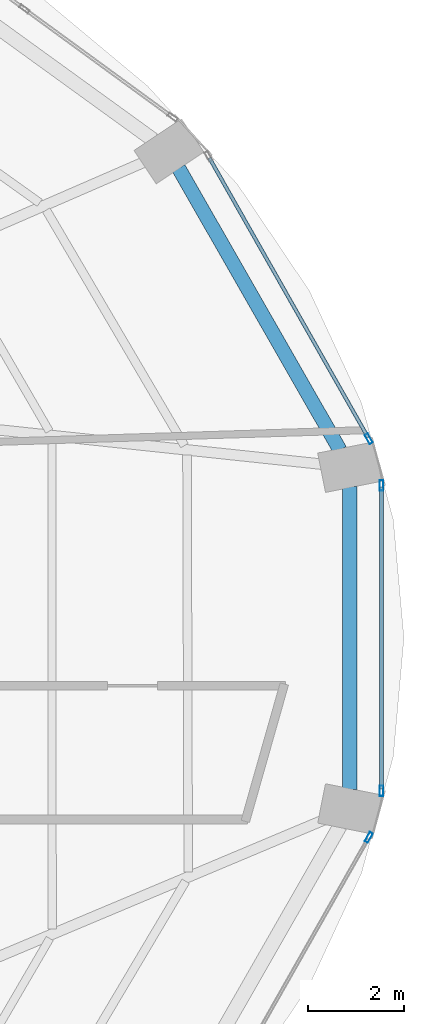
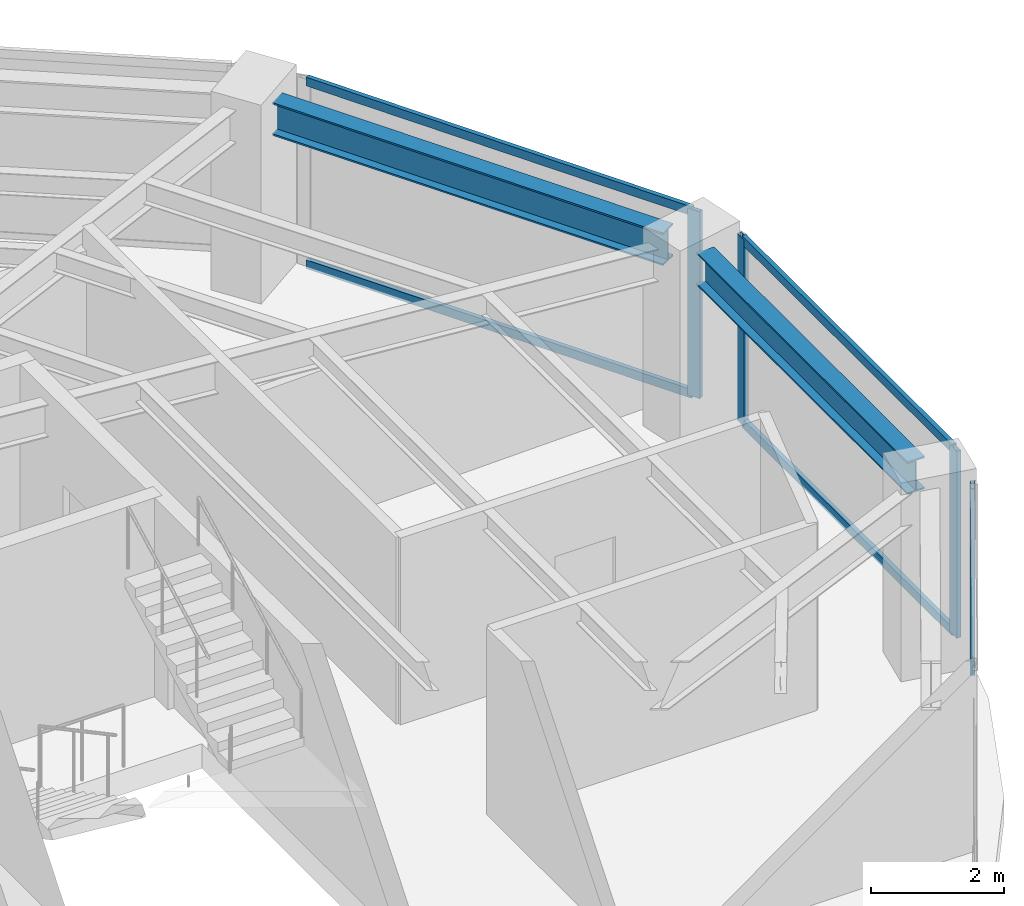
# One storey, part 13 of 23: 8 members, 2 beams, 3 elements without a shape of their own.
"""IFC4 building model written with IfcOpenShell, lengths in metres."""

from ifc_helpers import new_model, si_unit, direction, frame, origin, origin_2d, place, context, subcontext, project, spatial, hollow_rectangle, i_section, extrude, material, layer, layer_set, material_profile, profile_set, type_object, element, aggregate, save


model = new_model("IFC4")

# Units and contexts
model_context = context("Model", 3, precision=1e-05, world=origin(), true_north=direction((0.0, 1.0)))
body_context = subcontext(model_context, "Body", "Model", "MODEL_VIEW")
ifc_project = project(units=[si_unit("LENGTHUNIT", "METRE"), si_unit("AREAUNIT", "SQUARE_METRE"), si_unit("VOLUMEUNIT", "CUBIC_METRE"), si_unit("PLANEANGLEUNIT", "RADIAN"), si_unit("MASSUNIT", "GRAM", prefix="KILO")], contexts=[model_context])

# Site, building, storey
site_placement = place(None, origin())
site = spatial("IfcSite", under=ifc_project, at=site_placement, CompositionType="ELEMENT")
building_placement = place(site_placement, origin())
building = spatial("IfcBuilding", under=site, at=building_placement, Name="Lazwardi Medical Tower", CompositionType="ELEMENT")
storey_placement = place(building_placement, frame((0.0, 0.0, 81.743896484375)))
storey = spatial("IfcBuildingStorey", under=building, at=storey_placement, Name="L20", CompositionType="ELEMENT", Elevation=81.743896484375)

# Beams
ifc_material_1 = material(Name="Steel S355", Category="steel")
ifc_material_profile_1 = material_profile(ifc_material_1, i_section(OverallWidth=0.300048828125, OverallDepth=0.60009765625, WebThickness=0.015380859375, FlangeThickness=0.030029296875, at=origin_2d()), Name="HEB 600")
ifc_profile_set_1 = profile_set([ifc_material_profile_1], Name="Steel S355")
beam_type = type_object("IfcBeamType", Name="BM-RB-Z2", PredefinedType="BEAM", material=ifc_profile_set_1)
beam_1_placement = place(storey_placement, frame((60.86279296875, 27.22998046875, 3.128173828125), z_axis=(0.0, 1.0, 0.0), x_axis=(-1.0, 0.0, 0.0)))
element("IfcBeam", 1, at=beam_1_placement, inside=storey, type_object=beam_type, Name="Ring beam RB-03 B04 L20", PredefinedType="BEAM", context=body_context, shape_type="SweptSolid", body=[
    extrude(i_section(OverallWidth=0.300048828125, OverallDepth=0.60009765625, WebThickness=0.015380859375, FlangeThickness=0.030029296875, at=origin_2d()), origin(), (0.0, 0.0, 1.0), 6.33984375),
])
beam_2_placement = place(storey_placement, frame((60.6591796875, 34.335693359375, 3.128173828125), z_axis=(-0.496637551254, 0.867958030486, 0.0), x_axis=(-0.867958030486, -0.496637551254, 0.0)))
element("IfcBeam", 2, at=beam_2_placement, inside=storey, type_object=beam_type, Name="Ring beam RB-03 B05 L20", PredefinedType="BEAM", context=body_context, shape_type="SweptSolid", body=[
    extrude(i_section(OverallWidth=0.300048828125, OverallDepth=0.60009765625, WebThickness=0.015380859375, FlangeThickness=0.030029296875, at=origin_2d()), origin(), (0.0, 0.0, 1.0), 6.801025390625),
])

# Curtain wall, member
ifc_material_2 = material(Name="Anodised bronze aluminium and solar control glazing", Category="aluminium")
ifc_layer = layer(ifc_material_2, 0.195068359375)
ifc_layer_set = layer_set([ifc_layer], Name="Anodised bronze aluminium and solar control glazing")
curtain_wall_type = type_object("IfcCurtainWallType", Name="CW-SYS-03", PredefinedType="NOTDEFINED", material=ifc_layer_set)
curtain_wall_1_placement = place(storey_placement, origin())
curtain_wall_1 = element("IfcCurtainWall", 3, at=curtain_wall_1_placement, inside=storey, type_object=curtain_wall_type, Name="L20 Unitised bronze curtain wall CW-03", PredefinedType="NOTDEFINED")
ifc_material_3 = material(Name="Anodised bronze aluminium", Category="aluminium")
ifc_material_profile_2 = material_profile(ifc_material_3, hollow_rectangle(XDim=0.074951171875, YDim=0.219970703125, WallThickness=0.00390625, at=origin_2d()), Name="ALU-MULLION 220x75x4")
ifc_profile_set_2 = profile_set([ifc_material_profile_2], Name="Anodised bronze aluminium")
member_type_1 = type_object("IfcMemberType", Name="CW-MUL-01", PredefinedType="MULLION", material=ifc_profile_set_2)
member_1_placement = place(storey_placement, frame((61.2626953125, 26.22607421875, 0.0), z_axis=(0.0, 0.0, 1.0), x_axis=(-0.869687265712, 0.493603140041, 0.0)))
member_1 = element("IfcMember", 4, at=member_1_placement, type_object=member_type_1, Name="CW-03 mullion 2", PredefinedType="MULLION", context=body_context, shape_type="SweptSolid", body=[
    extrude(hollow_rectangle(XDim=0.074951171875, YDim=0.219970703125, WallThickness=0.00390625, at=origin_2d()), origin(), (0.0, 0.0, 1.0), 3.42822265625),
])
aggregate(curtain_wall_1, [member_1])

# Curtain wall, members
curtain_wall_2_placement = place(storey_placement, origin())
curtain_wall_2 = element("IfcCurtainWall", 5, at=curtain_wall_2_placement, inside=storey, type_object=curtain_wall_type, Name="L20 Unitised bronze curtain wall CW-03", PredefinedType="NOTDEFINED")
member_2_placement = place(storey_placement, frame((61.528076171875, 27.20263671875, 0.0), z_axis=(0.0, 0.0, 1.0), x_axis=(-1.0, 0.0, 0.0)))
member_2 = element("IfcMember", 6, at=member_2_placement, type_object=member_type_1, Name="CW-03 mullion 1", PredefinedType="MULLION", context=body_context, shape_type="SweptSolid", body=[
    extrude(hollow_rectangle(XDim=0.074951171875, YDim=0.219970703125, WallThickness=0.00390625, at=origin_2d()), origin(), (0.0, 0.0, 1.0), 3.42822265625),
])
member_3_placement = place(storey_placement, frame((61.528076171875, 33.597412109375, 0.0), z_axis=(0.0, 0.0, 1.0), x_axis=(-1.0, 0.0, 0.0)))
member_3 = element("IfcMember", 7, at=member_3_placement, type_object=member_type_1, Name="CW-03 mullion 2", PredefinedType="MULLION", context=body_context, shape_type="SweptSolid", body=[
    extrude(hollow_rectangle(XDim=0.074951171875, YDim=0.219970703125, WallThickness=0.00390625, at=origin_2d()), origin(), (0.0, 0.0, 1.0), 3.42822265625),
])

# Curtain wall, member
curtain_wall_3_placement = place(storey_placement, origin())
curtain_wall_3 = element("IfcCurtainWall", 8, at=curtain_wall_3_placement, inside=storey, type_object=curtain_wall_type, Name="L20 Unitised bronze curtain wall CW-03", PredefinedType="NOTDEFINED")
member_4_placement = place(storey_placement, frame((61.2626953125, 34.57373046875, 0.0), z_axis=(0.0, 0.0, 1.0), x_axis=(-0.869687265712, -0.493603140041, 0.0)))
member_4 = element("IfcMember", 9, at=member_4_placement, type_object=member_type_1, Name="CW-03 mullion 1", PredefinedType="MULLION", context=body_context, shape_type="SweptSolid", body=[
    extrude(hollow_rectangle(XDim=0.074951171875, YDim=0.219970703125, WallThickness=0.00390625, at=origin_2d()), origin(), (0.0, 0.0, 1.0), 3.42822265625),
])

# Member
ifc_material_profile_3 = material_profile(ifc_material_3, hollow_rectangle(XDim=0.074951171875, YDim=0.159912109375, WallThickness=0.00390625, at=origin_2d()), Name="ALU-TRANSOM 160x75x4")
ifc_profile_set_3 = profile_set([ifc_material_profile_3], Name="Anodised bronze aluminium")
member_type_2 = type_object("IfcMemberType", Name="CW-TRN-01", PredefinedType="USERDEFINED", material=ifc_profile_set_3)
member_5_placement = place(storey_placement, frame((61.528076171875, 27.239990234375, 0.03759765625), z_axis=(0.0, 1.0, 0.0), x_axis=(-1.0, 0.0, 0.0)))
member_5 = element("IfcMember", 10, at=member_5_placement, type_object=member_type_2, Name="CW-03 transom 1.1", ObjectType="TRANSOM", PredefinedType="USERDEFINED", context=body_context, shape_type="SweptSolid", body=[
    extrude(hollow_rectangle(XDim=0.074951171875, YDim=0.159912109375, WallThickness=0.00390625, at=origin_2d()), origin(), (0.0, 0.0, 1.0), 6.31982421875),
])

member_6_placement = place(storey_placement, frame((61.528076171875, 27.239990234375, 3.390625), z_axis=(0.0, 1.0, 0.0), x_axis=(-1.0, 0.0, 0.0)))
member_6 = element("IfcMember", 11, at=member_6_placement, type_object=member_type_2, Name="CW-03 transom 1.2", ObjectType="TRANSOM", PredefinedType="USERDEFINED", context=body_context, shape_type="SweptSolid", body=[
    extrude(hollow_rectangle(XDim=0.074951171875, YDim=0.159912109375, WallThickness=0.00390625, at=origin_2d()), origin(), (0.0, 0.0, 1.0), 6.31982421875),
])

aggregate(curtain_wall_2, [member_2, member_3, member_5, member_6])

member_7_placement = place(storey_placement, frame((61.244140625, 34.6064453125, 0.03759765625), z_axis=(-0.493614427365, 0.869680859337, 0.0), x_axis=(-0.869680859337, -0.493614427365, 0.0)))
member_7 = element("IfcMember", 12, at=member_7_placement, type_object=member_type_2, Name="CW-03 transom 1.1", ObjectType="TRANSOM", PredefinedType="USERDEFINED", context=body_context, shape_type="SweptSolid", body=[
    extrude(hollow_rectangle(XDim=0.074951171875, YDim=0.159912109375, WallThickness=0.00390625, at=origin_2d()), origin(), (0.0, 0.0, 1.0), 6.72314453125),
])

member_8_placement = place(storey_placement, frame((61.244140625, 34.6064453125, 3.390625), z_axis=(-0.493614427365, 0.869680859337, 0.0), x_axis=(-0.869680859337, -0.493614427365, 0.0)))
member_8 = element("IfcMember", 13, at=member_8_placement, type_object=member_type_2, Name="CW-03 transom 1.2", ObjectType="TRANSOM", PredefinedType="USERDEFINED", context=body_context, shape_type="SweptSolid", body=[
    extrude(hollow_rectangle(XDim=0.074951171875, YDim=0.159912109375, WallThickness=0.00390625, at=origin_2d()), origin(), (0.0, 0.0, 1.0), 6.72314453125),
])

aggregate(curtain_wall_3, [member_4, member_7, member_8])

save(model, "model.ifc")
